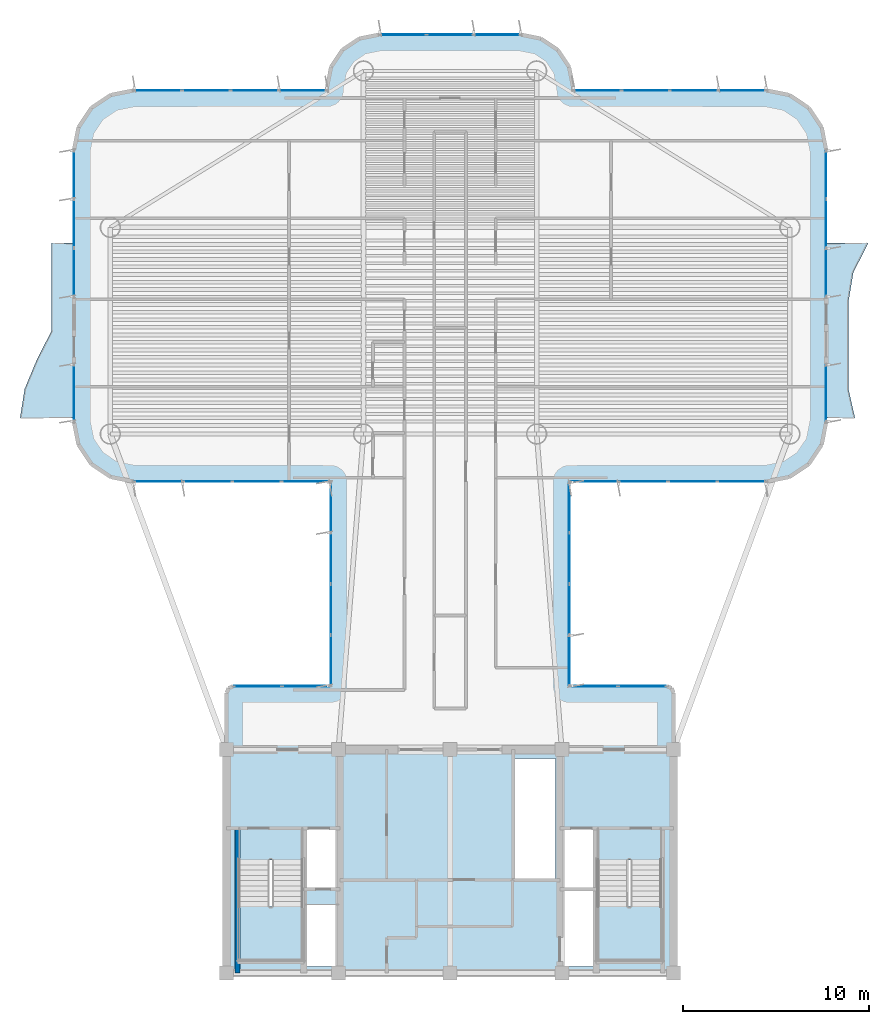
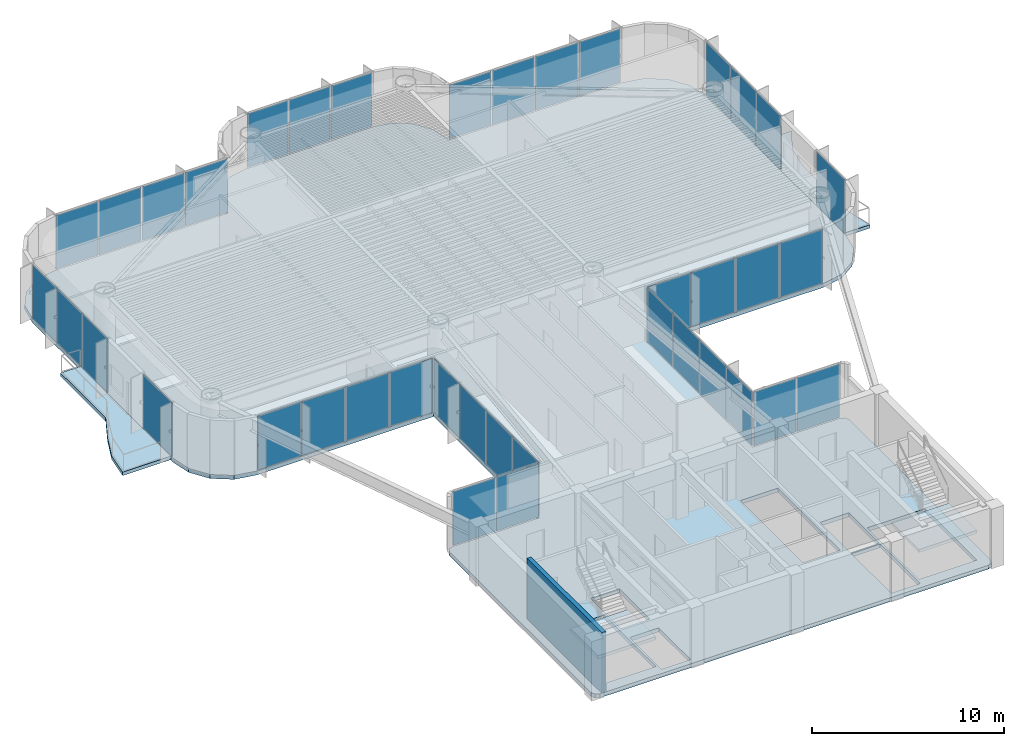
# One storey, part 8 of 14: 39 plates, 5 slabs, 1 wall, 15 elements without a shape of their own.
"""IFC4 building model written with IfcOpenShell, lengths in metres."""

from ifc_helpers import new_model, si_unit, direction, frame, frame_2d, origin, origin_2d, place, context, subcontext, project, spatial, polyline, rectangle, outline, extrude, source, transform, mapped, material, layer, layer_set, type_object, element, aggregate, save


model = new_model("IFC4")

# Units and contexts
model_context = context("Model", 3, precision=1e-05, world=origin(), true_north=direction((0.0, 1.0)))
body_context = subcontext(model_context, "Body", "Model", "MODEL_VIEW")
ifc_project = project(units=[si_unit("LENGTHUNIT", "METRE"), si_unit("AREAUNIT", "SQUARE_METRE"), si_unit("VOLUMEUNIT", "CUBIC_METRE"), si_unit("PLANEANGLEUNIT", "RADIAN"), si_unit("MASSUNIT", "GRAM", prefix="KILO")], contexts=[model_context])

# Site, building, storey
site_placement = place(None, origin())
site = spatial("IfcSite", under=ifc_project, at=site_placement, CompositionType="ELEMENT")
building_placement = place(site_placement, origin())
building = spatial("IfcBuilding", under=site, at=building_placement, Name="Brelvock Crest Care Tower", CompositionType="ELEMENT")
storey_placement = place(building_placement, frame((0.0, 0.0, 198.0)))
storey = spatial("IfcBuildingStorey", under=building, at=storey_placement, Name="L50", CompositionType="ELEMENT", Elevation=198.0)

# Slabs
ifc_material_1 = material(Name="Concrete N50 (50 MPa)", Category="concrete")
ifc_layer_1 = layer(ifc_material_1, 0.25, Name="SLB-FL3")
ifc_layer_set_1 = layer_set([ifc_layer_1], Name="Concrete N50 (50 MPa)")
slab_type_1 = type_object("IfcSlabType", Name="SLB-FL3", PredefinedType="FLOOR", material=ifc_layer_set_1)
slab_1_placement = place(storey_placement, frame((0.0, 0.0, -0.25)))
element("IfcSlab", 1, at=slab_1_placement, inside=storey, type_object=slab_type_1, Name="L50 Main Structural Slab", PredefinedType="FLOOR", context=body_context, shape_type="SweptSolid", body=[
    extrude(outline(polyline([(47.64990234375, 21.39990234375), (42.39990234375, 21.39990234375), (42.39990234375, 32.39990234375), (53.0, 32.39990234375), (54.224609375, 32.6435546875), (55.2626953125, 33.33740234375), (55.956298828125, 34.37548828125), (56.199951171875, 35.60009765625), (56.199951171875, 50.199951171875), (55.956298828125, 51.424560546875), (55.2626953125, 52.462646484375), (54.224609375, 53.156494140625), (53.0, 53.39990234375), (42.60009765625, 53.39990234375), (42.60009765625, 53.60009765625), (42.386962890625, 54.67138671875), (41.77978515625, 55.579833984375), (40.87158203125, 56.18701171875), (39.800048828125, 56.39990234375), (32.199951171875, 56.39990234375), (31.12841796875, 56.18701171875), (30.22021484375, 55.579833984375), (29.613037109375, 54.67138671875), (29.39990234375, 53.60009765625), (29.39990234375, 53.39990234375), (19.0, 53.39990234375), (17.775390625, 53.156494140625), (16.7373046875, 52.462646484375), (16.043701171875, 51.424560546875), (15.800048828125, 50.199951171875), (15.800048828125, 35.60009765625), (16.043701171875, 34.37548828125), (16.7373046875, 33.33740234375), (17.775390625, 32.6435546875), (19.0, 32.39990234375), (29.60009765625, 32.39990234375), (29.60009765625, 21.39990234375), (24.35009765625, 21.39990234375), (24.1025390625, 21.297607421875), (24.0, 21.050048828125), (24.0, 6.35009765625), (24.1025390625, 6.1025390625), (24.35009765625, 6.0), (47.64990234375, 6.0), (47.8974609375, 6.1025390625), (48.0, 6.35009765625), (48.0, 21.050048828125), (47.8974609375, 21.297607421875), (47.64990234375, 21.39990234375)]), holes=[polyline([(28.239990234375, 10.580078125), (29.97998046875, 10.580078125), (29.97998046875, 13.739990234375), (28.239990234375, 13.739990234375), (28.239990234375, 10.580078125)]), polyline([(42.02001953125, 10.580078125), (43.760009765625, 10.580078125), (43.760009765625, 13.739990234375), (42.02001953125, 13.739990234375), (42.02001953125, 10.580078125)]), polyline([(28.239990234375, 6.340087890625), (29.97998046875, 6.340087890625), (29.97998046875, 9.64990234375), (28.239990234375, 9.64990234375), (28.239990234375, 6.340087890625)]), polyline([(24.6298828125, 12.080078125), (24.6298828125, 6.699951171875), (28.110107421875, 6.699951171875), (28.110107421875, 12.080078125), (24.6298828125, 12.080078125)]), polyline([(43.889892578125, 12.080078125), (43.889892578125, 6.699951171875), (47.3701171875, 6.699951171875), (47.3701171875, 12.080078125), (43.889892578125, 12.080078125)]), polyline([(42.02001953125, 6.340087890625), (43.760009765625, 6.340087890625), (43.760009765625, 10.5), (42.02001953125, 10.5), (42.02001953125, 6.340087890625)]), polyline([(39.429931640625, 11.030029296875), (41.669921875, 11.030029296875), (41.669921875, 17.52001953125), (39.429931640625, 17.52001953125), (39.429931640625, 11.030029296875)])]), origin(), (0.0, 0.0, 1.0), 0.25),
])
ifc_layer_2 = layer(ifc_material_1, 0.219970703125, Name="SLB-WB1")
ifc_layer_set_2 = layer_set([ifc_layer_2], Name="Concrete N50 (50 MPa)")
slab_type_2 = type_object("IfcSlabType", Name="SLB-WB1", PredefinedType="FLOOR", material=ifc_layer_set_2)
slab_2_placement = place(storey_placement, frame((0.0, 0.0, -0.219970703125)))
element("IfcSlab", 2, at=slab_2_placement, inside=storey, type_object=slab_type_2, Name="L50 W Sinusoidal Wave Balcony Slab", PredefinedType="FLOOR", context=body_context, shape_type="SweptSolid", body=[
    extrude(outline(polyline([(15.800048828125, 45.199951171875), (14.60009765625, 45.199951171875), (14.60009765625, 43.63330078125), (14.60009765625, 42.066650390625), (14.60009765625, 40.5), (13.79931640625, 38.933349609375), (13.1474609375, 37.36669921875), (12.89990234375, 35.800048828125), (15.800048828125, 35.800048828125), (15.800048828125, 45.199951171875)])), origin(), (0.0, 0.0, 1.0), 0.219970703125),
])
slab_3_placement = place(storey_placement, frame((0.0, 0.0, -0.219970703125)))
element("IfcSlab", 3, at=slab_3_placement, inside=storey, type_object=slab_type_2, Name="L50 E Sinusoidal Wave Balcony Slab", PredefinedType="FLOOR", context=body_context, shape_type="SweptSolid", body=[
    extrude(outline(polyline([(56.199951171875, 35.800048828125), (57.75, 35.800048828125), (57.39990234375, 37.36669921875), (57.39990234375, 38.933349609375), (57.39990234375, 40.5), (57.39990234375, 42.066650390625), (57.66162109375, 43.63330078125), (58.455322265625, 45.199951171875), (56.199951171875, 45.199951171875), (56.199951171875, 35.800048828125)])), origin(), (0.0, 0.0, 1.0), 0.219970703125),
])

# Stair, slab
ifc_material_2 = material(Name="Concrete N40 (40 MPa)", Category="concrete")
stair_type = type_object("IfcStairType", Name="ST-CORE1", PredefinedType="HALF_TURN_STAIR", material=ifc_material_2)
stair_1_placement = place(storey_placement, origin())
stair_1 = element("IfcStair", 4, at=stair_1_placement, inside=storey, type_object=stair_type, Name="L50 Fire-Isolated Core Stair ST-1", PredefinedType="HALF_TURN_STAIR")
ifc_layer_3 = layer(ifc_material_2, 0.199951171875, Name="STL-1")
ifc_layer_set_3 = layer_set([ifc_layer_3], Name="Concrete N40 (40 MPa)")
slab_type_3 = type_object("IfcSlabType", Name="STL-1", PredefinedType="LANDING", material=ifc_layer_set_3)
slab_4_placement = place(storey_placement, frame((0.0, 0.0, 1.68994140625)))
slab_4 = element("IfcSlab", 5, at=slab_4_placement, type_object=slab_type_3, Name="ST-1 landing 1", PredefinedType="LANDING", context=body_context, shape_type="SweptSolid", body=[
    extrude(outline(polyline([(24.6298828125, 9.56005859375), (24.6298828125, 6.699951171875), (28.110107421875, 6.699951171875), (28.110107421875, 9.56005859375), (24.6298828125, 9.56005859375)])), origin(), (0.0, 0.0, 1.0), 0.199951171875),
])
aggregate(stair_1, [slab_4])

stair_2_placement = place(storey_placement, origin())
stair_2 = element("IfcStair", 6, at=stair_2_placement, inside=storey, type_object=stair_type, Name="L50 Fire-Isolated Core Stair ST-2", PredefinedType="HALF_TURN_STAIR")
slab_5_placement = place(storey_placement, frame((0.0, 0.0, 1.68994140625)))
slab_5 = element("IfcSlab", 7, at=slab_5_placement, type_object=slab_type_3, Name="ST-2 landing 1", PredefinedType="LANDING", context=body_context, shape_type="SweptSolid", body=[
    extrude(outline(polyline([(43.889892578125, 9.56005859375), (43.889892578125, 6.699951171875), (47.3701171875, 6.699951171875), (47.3701171875, 9.56005859375), (43.889892578125, 9.56005859375)])), origin(), (0.0, 0.0, 1.0), 0.199951171875),
])
aggregate(stair_2, [slab_5])

# Curtain wall, plates
ifc_material_3 = material(Name="Dark Glass Double Glazed Low-E", Category="glass")
ifc_layer_4 = layer(ifc_material_3, 0.22509765625, Name="CWS-4")
ifc_layer_set_4 = layer_set([ifc_layer_4], Name="Dark Glass Double Glazed Low-E")
curtain_wall_type = type_object("IfcCurtainWallType", Name="CWS-4", PredefinedType="NOTDEFINED", material=ifc_layer_set_4)
curtain_wall_1_placement = place(storey_placement, origin())
curtain_wall_1 = element("IfcCurtainWall", 8, at=curtain_wall_1_placement, inside=storey, type_object=curtain_wall_type, Name="L50 Curtain Wall E10", PredefinedType="NOTDEFINED")
ifc_layer_5 = layer(ifc_material_3, 0.0380859375, Name="CWP-V2")
ifc_layer_set_5 = layer_set([ifc_layer_5], Name="Dark Glass Double Glazed Low-E")
plate_type = type_object("IfcPlateType", Name="CWP-V2", PredefinedType="CURTAIN_PANEL", material=ifc_layer_set_5)
shared_shape_1 = source(origin(), body_context, "Body", "SweptSolid", [
    extrude(rectangle(XDim=2.534912109375, YDim=0.035888671875, at=origin_2d()), origin(), (0.0, 0.0, 1.0), 3.409912109375),
])
plate_1_placement = place(storey_placement, frame((25.677490234375, 21.39990234375, 0.06005859375), z_axis=(0.0, 0.0, 1.0), x_axis=(1.0, 0.0, 0.0)))
plate_1 = element("IfcPlate", 9, at=plate_1_placement, type_object=plate_type, Name="CW-4 panel 1.1", PredefinedType="CURTAIN_PANEL", context=body_context, shape_type="MappedRepresentation", body=[
    mapped(shared_shape_1, transform((0.0, 0.0, 0.0), x_axis=(1.0, 0.0, 0.0), y_axis=(0.0, 1.0, 0.0), z_axis=(0.0, 0.0, 1.0), scale=1.0)),
])
plate_2_placement = place(storey_placement, frame((28.2724609375, 21.39990234375, 0.06005859375), z_axis=(0.0, 0.0, 1.0), x_axis=(1.0, 0.0, 0.0)))
plate_2 = element("IfcPlate", 10, at=plate_2_placement, type_object=plate_type, Name="CW-4 panel 2.1", PredefinedType="CURTAIN_PANEL", context=body_context, shape_type="MappedRepresentation", body=[
    mapped(shared_shape_1, transform((0.0, 0.0, 0.0), x_axis=(1.0, 0.0, 0.0), y_axis=(0.0, 1.0, 0.0), z_axis=(0.0, 0.0, 1.0), scale=1.0)),
])
aggregate(curtain_wall_1, [plate_1, plate_2])

curtain_wall_2_placement = place(storey_placement, origin())
curtain_wall_2 = element("IfcCurtainWall", 11, at=curtain_wall_2_placement, inside=storey, type_object=curtain_wall_type, Name="L50 Curtain Wall E46", PredefinedType="NOTDEFINED")
plate_3_placement = place(storey_placement, frame((43.7275390625, 21.39990234375, 0.06005859375), z_axis=(0.0, 0.0, 1.0), x_axis=(1.0, 0.0, 0.0)))
plate_3 = element("IfcPlate", 12, at=plate_3_placement, type_object=plate_type, Name="CW-4 panel 1.1", PredefinedType="CURTAIN_PANEL", context=body_context, shape_type="MappedRepresentation", body=[
    mapped(shared_shape_1, transform((0.0, 0.0, 0.0), x_axis=(1.0, 0.0, 0.0), y_axis=(0.0, 1.0, 0.0), z_axis=(0.0, 0.0, 1.0), scale=1.0)),
])
plate_4_placement = place(storey_placement, frame((46.322509765625, 21.39990234375, 0.06005859375), z_axis=(0.0, 0.0, 1.0), x_axis=(1.0, 0.0, 0.0)))
plate_4 = element("IfcPlate", 13, at=plate_4_placement, type_object=plate_type, Name="CW-4 panel 2.1", PredefinedType="CURTAIN_PANEL", context=body_context, shape_type="MappedRepresentation", body=[
    mapped(shared_shape_1, transform((0.0, 0.0, 0.0), x_axis=(1.0, 0.0, 0.0), y_axis=(0.0, 1.0, 0.0), z_axis=(0.0, 0.0, 1.0), scale=1.0)),
])
aggregate(curtain_wall_2, [plate_3, plate_4])

curtain_wall_3_placement = place(storey_placement, origin())
curtain_wall_3 = element("IfcCurtainWall", 14, at=curtain_wall_3_placement, inside=storey, type_object=curtain_wall_type, Name="L50 Curtain Wall E11", PredefinedType="NOTDEFINED")
shared_shape_2 = source(origin(), body_context, "Body", "SweptSolid", [
    extrude(rectangle(XDim=2.659912109375, YDim=0.035888671875, at=origin_2d()), origin(), (0.0, 0.0, 1.0), 3.409912109375),
])
plate_5_placement = place(storey_placement, frame((29.60009765625, 22.7900390625, 0.06005859375), z_axis=(0.0, 0.0, 1.0), x_axis=(0.0, 1.0, 0.0)))
plate_5 = element("IfcPlate", 15, at=plate_5_placement, type_object=plate_type, Name="CW-4 panel 1.1", PredefinedType="CURTAIN_PANEL", context=body_context, shape_type="MappedRepresentation", body=[
    mapped(shared_shape_2, transform((0.0, 0.0, 0.0), x_axis=(1.0, 0.0, 0.0), y_axis=(0.0, 1.0, 0.0), z_axis=(0.0, 0.0, 1.0), scale=1.0)),
])
plate_6_placement = place(storey_placement, frame((29.60009765625, 31.010009765625, 0.06005859375), z_axis=(0.0, 0.0, 1.0), x_axis=(0.0, 1.0, 0.0)))
plate_6 = element("IfcPlate", 16, at=plate_6_placement, type_object=plate_type, Name="CW-4 panel 4.1", PredefinedType="CURTAIN_PANEL", context=body_context, shape_type="MappedRepresentation", body=[
    mapped(shared_shape_2, transform((0.0, 0.0, 0.0), x_axis=(1.0, 0.0, 0.0), y_axis=(0.0, 1.0, 0.0), z_axis=(0.0, 0.0, 1.0), scale=1.0)),
])

curtain_wall_4_placement = place(storey_placement, origin())
curtain_wall_4 = element("IfcCurtainWall", 17, at=curtain_wall_4_placement, inside=storey, type_object=curtain_wall_type, Name="L50 Curtain Wall E45", PredefinedType="NOTDEFINED")
plate_7_placement = place(storey_placement, frame((42.39990234375, 31.010009765625, 0.06005859375), z_axis=(0.0, 0.0, 1.0), x_axis=(0.0, -1.0, 0.0)))
plate_7 = element("IfcPlate", 18, at=plate_7_placement, type_object=plate_type, Name="CW-4 panel 1.1", PredefinedType="CURTAIN_PANEL", context=body_context, shape_type="MappedRepresentation", body=[
    mapped(shared_shape_2, transform((0.0, 0.0, 0.0), x_axis=(1.0, 0.0, 0.0), y_axis=(0.0, 1.0, 0.0), z_axis=(0.0, 0.0, 1.0), scale=1.0)),
])
plate_8_placement = place(storey_placement, frame((42.39990234375, 22.7900390625, 0.06005859375), z_axis=(0.0, 0.0, 1.0), x_axis=(0.0, -1.0, 0.0)))
plate_8 = element("IfcPlate", 19, at=plate_8_placement, type_object=plate_type, Name="CW-4 panel 4.1", PredefinedType="CURTAIN_PANEL", context=body_context, shape_type="MappedRepresentation", body=[
    mapped(shared_shape_2, transform((0.0, 0.0, 0.0), x_axis=(1.0, 0.0, 0.0), y_axis=(0.0, 1.0, 0.0), z_axis=(0.0, 0.0, 1.0), scale=1.0)),
])

# Plate
shared_shape_3 = source(origin(), body_context, "Body", "SweptSolid", [
    extrude(rectangle(XDim=2.68994140625, YDim=0.035888671875, at=origin_2d()), origin(), (0.0, 0.0, 1.0), 3.409912109375),
])
plate_9_placement = place(storey_placement, frame((29.60009765625, 25.52490234375, 0.06005859375), z_axis=(0.0, 0.0, 1.0), x_axis=(0.0, 1.0, 0.0)))
plate_9 = element("IfcPlate", 20, at=plate_9_placement, type_object=plate_type, Name="CW-4 panel 2.1", PredefinedType="CURTAIN_PANEL", context=body_context, shape_type="MappedRepresentation", body=[
    mapped(shared_shape_3, transform((0.0, 0.0, 0.0), x_axis=(1.0, 0.0, 0.0), y_axis=(0.0, 1.0, 0.0), z_axis=(0.0, 0.0, 1.0), scale=1.0)),
])

plate_10_placement = place(storey_placement, frame((29.60009765625, 28.27490234375, 0.06005859375), z_axis=(0.0, 0.0, 1.0), x_axis=(0.0, 1.0, 0.0)))
plate_10 = element("IfcPlate", 21, at=plate_10_placement, type_object=plate_type, Name="CW-4 panel 3.1", PredefinedType="CURTAIN_PANEL", context=body_context, shape_type="MappedRepresentation", body=[
    mapped(shared_shape_3, transform((0.0, 0.0, 0.0), x_axis=(1.0, 0.0, 0.0), y_axis=(0.0, 1.0, 0.0), z_axis=(0.0, 0.0, 1.0), scale=1.0)),
])

aggregate(curtain_wall_3, [plate_5, plate_9, plate_10, plate_6])

plate_11_placement = place(storey_placement, frame((42.39990234375, 28.27490234375, 0.06005859375), z_axis=(0.0, 0.0, 1.0), x_axis=(0.0, -1.0, 0.0)))
plate_11 = element("IfcPlate", 22, at=plate_11_placement, type_object=plate_type, Name="CW-4 panel 2.1", PredefinedType="CURTAIN_PANEL", context=body_context, shape_type="MappedRepresentation", body=[
    mapped(shared_shape_3, transform((0.0, 0.0, 0.0), x_axis=(1.0, 0.0, 0.0), y_axis=(0.0, 1.0, 0.0), z_axis=(0.0, 0.0, 1.0), scale=1.0)),
])

plate_12_placement = place(storey_placement, frame((42.39990234375, 25.52490234375, 0.06005859375), z_axis=(0.0, 0.0, 1.0), x_axis=(0.0, -1.0, 0.0)))
plate_12 = element("IfcPlate", 23, at=plate_12_placement, type_object=plate_type, Name="CW-4 panel 3.1", PredefinedType="CURTAIN_PANEL", context=body_context, shape_type="MappedRepresentation", body=[
    mapped(shared_shape_3, transform((0.0, 0.0, 0.0), x_axis=(1.0, 0.0, 0.0), y_axis=(0.0, 1.0, 0.0), z_axis=(0.0, 0.0, 1.0), scale=1.0)),
])

aggregate(curtain_wall_4, [plate_7, plate_11, plate_12, plate_8])

# Curtain wall, plates
curtain_wall_5_placement = place(storey_placement, origin())
curtain_wall_5 = element("IfcCurtainWall", 24, at=curtain_wall_5_placement, inside=storey, type_object=curtain_wall_type, Name="L50 Curtain Wall E12", PredefinedType="NOTDEFINED")
shared_shape_4 = source(origin(), body_context, "Body", "SweptSolid", [
    extrude(rectangle(XDim=2.56005859375, YDim=0.035888671875, at=origin_2d()), origin(), (0.0, 0.0, 1.0), 3.409912109375),
])
plate_13_placement = place(storey_placement, frame((28.260009765625, 32.39990234375, 0.06005859375), z_axis=(0.0, 0.0, 1.0), x_axis=(-1.0, 0.0, 0.0)))
plate_13 = element("IfcPlate", 25, at=plate_13_placement, type_object=plate_type, Name="CW-4 panel 1.1", PredefinedType="CURTAIN_PANEL", context=body_context, shape_type="MappedRepresentation", body=[
    mapped(shared_shape_4, transform((0.0, 0.0, 0.0), x_axis=(1.0, 0.0, 0.0), y_axis=(0.0, 1.0, 0.0), z_axis=(0.0, 0.0, 1.0), scale=1.0)),
])
plate_14_placement = place(storey_placement, frame((20.340087890625, 32.39990234375, 0.06005859375), z_axis=(0.0, 0.0, 1.0), x_axis=(-1.0, 0.0, 0.0)))
plate_14 = element("IfcPlate", 26, at=plate_14_placement, type_object=plate_type, Name="CW-4 panel 4.1", PredefinedType="CURTAIN_PANEL", context=body_context, shape_type="MappedRepresentation", body=[
    mapped(shared_shape_4, transform((0.0, 0.0, 0.0), x_axis=(1.0, 0.0, 0.0), y_axis=(0.0, 1.0, 0.0), z_axis=(0.0, 0.0, 1.0), scale=1.0)),
])

curtain_wall_6_placement = place(storey_placement, origin())
curtain_wall_6 = element("IfcCurtainWall", 27, at=curtain_wall_6_placement, inside=storey, type_object=curtain_wall_type, Name="L50 Curtain Wall E44", PredefinedType="NOTDEFINED")
plate_15_placement = place(storey_placement, frame((51.659912109375, 32.39990234375, 0.06005859375), z_axis=(0.0, 0.0, 1.0), x_axis=(-1.0, 0.0, 0.0)))
plate_15 = element("IfcPlate", 28, at=plate_15_placement, type_object=plate_type, Name="CW-4 panel 1.1", PredefinedType="CURTAIN_PANEL", context=body_context, shape_type="MappedRepresentation", body=[
    mapped(shared_shape_4, transform((0.0, 0.0, 0.0), x_axis=(1.0, 0.0, 0.0), y_axis=(0.0, 1.0, 0.0), z_axis=(0.0, 0.0, 1.0), scale=1.0)),
])
plate_16_placement = place(storey_placement, frame((43.739990234375, 32.39990234375, 0.06005859375), z_axis=(0.0, 0.0, 1.0), x_axis=(-1.0, 0.0, 0.0)))
plate_16 = element("IfcPlate", 29, at=plate_16_placement, type_object=plate_type, Name="CW-4 panel 4.1", PredefinedType="CURTAIN_PANEL", context=body_context, shape_type="MappedRepresentation", body=[
    mapped(shared_shape_4, transform((0.0, 0.0, 0.0), x_axis=(1.0, 0.0, 0.0), y_axis=(0.0, 1.0, 0.0), z_axis=(0.0, 0.0, 1.0), scale=1.0)),
])

# Plate
shared_shape_5 = source(origin(), body_context, "Body", "SweptSolid", [
    extrude(rectangle(XDim=2.590087890625, YDim=0.035888671875, at=origin_2d()), origin(), (0.0, 0.0, 1.0), 3.409912109375),
])
plate_17_placement = place(storey_placement, frame((25.625, 32.39990234375, 0.06005859375), z_axis=(0.0, 0.0, 1.0), x_axis=(-1.0, 0.0, 0.0)))
plate_17 = element("IfcPlate", 30, at=plate_17_placement, type_object=plate_type, Name="CW-4 panel 2.1", PredefinedType="CURTAIN_PANEL", context=body_context, shape_type="MappedRepresentation", body=[
    mapped(shared_shape_5, transform((0.0, 0.0, 0.0), x_axis=(1.0, 0.0, 0.0), y_axis=(0.0, 1.0, 0.0), z_axis=(0.0, 0.0, 1.0), scale=1.0)),
])

plate_18_placement = place(storey_placement, frame((22.97509765625, 32.39990234375, 0.06005859375), z_axis=(0.0, 0.0, 1.0), x_axis=(-1.0, 0.0, 0.0)))
plate_18 = element("IfcPlate", 31, at=plate_18_placement, type_object=plate_type, Name="CW-4 panel 3.1", PredefinedType="CURTAIN_PANEL", context=body_context, shape_type="MappedRepresentation", body=[
    mapped(shared_shape_5, transform((0.0, 0.0, 0.0), x_axis=(1.0, 0.0, 0.0), y_axis=(0.0, 1.0, 0.0), z_axis=(0.0, 0.0, 1.0), scale=1.0)),
])

aggregate(curtain_wall_5, [plate_13, plate_17, plate_18, plate_14])

plate_19_placement = place(storey_placement, frame((49.02490234375, 32.39990234375, 0.06005859375), z_axis=(0.0, 0.0, 1.0), x_axis=(-1.0, 0.0, 0.0)))
plate_19 = element("IfcPlate", 32, at=plate_19_placement, type_object=plate_type, Name="CW-4 panel 2.1", PredefinedType="CURTAIN_PANEL", context=body_context, shape_type="MappedRepresentation", body=[
    mapped(shared_shape_5, transform((0.0, 0.0, 0.0), x_axis=(1.0, 0.0, 0.0), y_axis=(0.0, 1.0, 0.0), z_axis=(0.0, 0.0, 1.0), scale=1.0)),
])

plate_20_placement = place(storey_placement, frame((46.375, 32.39990234375, 0.06005859375), z_axis=(0.0, 0.0, 1.0), x_axis=(-1.0, 0.0, 0.0)))
plate_20 = element("IfcPlate", 33, at=plate_20_placement, type_object=plate_type, Name="CW-4 panel 3.1", PredefinedType="CURTAIN_PANEL", context=body_context, shape_type="MappedRepresentation", body=[
    mapped(shared_shape_5, transform((0.0, 0.0, 0.0), x_axis=(1.0, 0.0, 0.0), y_axis=(0.0, 1.0, 0.0), z_axis=(0.0, 0.0, 1.0), scale=1.0)),
])

aggregate(curtain_wall_6, [plate_15, plate_19, plate_20, plate_16])

# Curtain wall, plates
curtain_wall_7_placement = place(storey_placement, origin())
curtain_wall_7 = element("IfcCurtainWall", 34, at=curtain_wall_7_placement, inside=storey, type_object=curtain_wall_type, Name="L50 Curtain Wall E22", PredefinedType="NOTDEFINED")
shared_shape_6 = source(origin(), body_context, "Body", "SweptSolid", [
    extrude(rectangle(XDim=2.510009765625, YDim=0.035888671875, at=origin_2d()), origin(), (0.0, 0.0, 1.0), 3.409912109375),
])
plate_21_placement = place(storey_placement, frame((20.31494140625, 53.39990234375, 0.06005859375), z_axis=(0.0, 0.0, 1.0), x_axis=(1.0, 0.0, 0.0)))
plate_21 = element("IfcPlate", 35, at=plate_21_placement, type_object=plate_type, Name="CW-4 panel 1.1", PredefinedType="CURTAIN_PANEL", context=body_context, shape_type="MappedRepresentation", body=[
    mapped(shared_shape_6, transform((0.0, 0.0, 0.0), x_axis=(1.0, 0.0, 0.0), y_axis=(0.0, 1.0, 0.0), z_axis=(0.0, 0.0, 1.0), scale=1.0)),
])
plate_22_placement = place(storey_placement, frame((28.0849609375, 53.39990234375, 0.06005859375), z_axis=(0.0, 0.0, 1.0), x_axis=(1.0, 0.0, 0.0)))
plate_22 = element("IfcPlate", 36, at=plate_22_placement, type_object=plate_type, Name="CW-4 panel 4.1", PredefinedType="CURTAIN_PANEL", context=body_context, shape_type="MappedRepresentation", body=[
    mapped(shared_shape_6, transform((0.0, 0.0, 0.0), x_axis=(1.0, 0.0, 0.0), y_axis=(0.0, 1.0, 0.0), z_axis=(0.0, 0.0, 1.0), scale=1.0)),
])

curtain_wall_8_placement = place(storey_placement, origin())
curtain_wall_8 = element("IfcCurtainWall", 37, at=curtain_wall_8_placement, inside=storey, type_object=curtain_wall_type, Name="L50 Curtain Wall E34", PredefinedType="NOTDEFINED")
plate_23_placement = place(storey_placement, frame((43.9150390625, 53.39990234375, 0.06005859375), z_axis=(0.0, 0.0, 1.0), x_axis=(1.0, 0.0, 0.0)))
plate_23 = element("IfcPlate", 38, at=plate_23_placement, type_object=plate_type, Name="CW-4 panel 1.1", PredefinedType="CURTAIN_PANEL", context=body_context, shape_type="MappedRepresentation", body=[
    mapped(shared_shape_6, transform((0.0, 0.0, 0.0), x_axis=(1.0, 0.0, 0.0), y_axis=(0.0, 1.0, 0.0), z_axis=(0.0, 0.0, 1.0), scale=1.0)),
])
plate_24_placement = place(storey_placement, frame((51.68505859375, 53.39990234375, 0.06005859375), z_axis=(0.0, 0.0, 1.0), x_axis=(1.0, 0.0, 0.0)))
plate_24 = element("IfcPlate", 39, at=plate_24_placement, type_object=plate_type, Name="CW-4 panel 4.1", PredefinedType="CURTAIN_PANEL", context=body_context, shape_type="MappedRepresentation", body=[
    mapped(shared_shape_6, transform((0.0, 0.0, 0.0), x_axis=(1.0, 0.0, 0.0), y_axis=(0.0, 1.0, 0.0), z_axis=(0.0, 0.0, 1.0), scale=1.0)),
])

# Plate
shared_shape_7 = source(origin(), body_context, "Body", "SweptSolid", [
    extrude(rectangle(XDim=2.5400390625, YDim=0.035888671875, at=origin_2d()), origin(), (0.0, 0.0, 1.0), 3.409912109375),
])
plate_25_placement = place(storey_placement, frame((22.89990234375, 53.39990234375, 0.06005859375), z_axis=(0.0, 0.0, 1.0), x_axis=(1.0, 0.0, 0.0)))
plate_25 = element("IfcPlate", 40, at=plate_25_placement, type_object=plate_type, Name="CW-4 panel 2.1", PredefinedType="CURTAIN_PANEL", context=body_context, shape_type="MappedRepresentation", body=[
    mapped(shared_shape_7, transform((0.0, 0.0, 0.0), x_axis=(1.0, 0.0, 0.0), y_axis=(0.0, 1.0, 0.0), z_axis=(0.0, 0.0, 1.0), scale=1.0)),
])

plate_26_placement = place(storey_placement, frame((25.5, 53.39990234375, 0.06005859375), z_axis=(0.0, 0.0, 1.0), x_axis=(1.0, 0.0, 0.0)))
plate_26 = element("IfcPlate", 41, at=plate_26_placement, type_object=plate_type, Name="CW-4 panel 3.1", PredefinedType="CURTAIN_PANEL", context=body_context, shape_type="MappedRepresentation", body=[
    mapped(shared_shape_7, transform((0.0, 0.0, 0.0), x_axis=(1.0, 0.0, 0.0), y_axis=(0.0, 1.0, 0.0), z_axis=(0.0, 0.0, 1.0), scale=1.0)),
])

aggregate(curtain_wall_7, [plate_21, plate_25, plate_26, plate_22])

plate_27_placement = place(storey_placement, frame((46.5, 53.39990234375, 0.06005859375), z_axis=(0.0, 0.0, 1.0), x_axis=(1.0, 0.0, 0.0)))
plate_27 = element("IfcPlate", 42, at=plate_27_placement, type_object=plate_type, Name="CW-4 panel 2.1", PredefinedType="CURTAIN_PANEL", context=body_context, shape_type="MappedRepresentation", body=[
    mapped(shared_shape_7, transform((0.0, 0.0, 0.0), x_axis=(1.0, 0.0, 0.0), y_axis=(0.0, 1.0, 0.0), z_axis=(0.0, 0.0, 1.0), scale=1.0)),
])

plate_28_placement = place(storey_placement, frame((49.10009765625, 53.39990234375, 0.06005859375), z_axis=(0.0, 0.0, 1.0), x_axis=(1.0, 0.0, 0.0)))
plate_28 = element("IfcPlate", 43, at=plate_28_placement, type_object=plate_type, Name="CW-4 panel 3.1", PredefinedType="CURTAIN_PANEL", context=body_context, shape_type="MappedRepresentation", body=[
    mapped(shared_shape_7, transform((0.0, 0.0, 0.0), x_axis=(1.0, 0.0, 0.0), y_axis=(0.0, 1.0, 0.0), z_axis=(0.0, 0.0, 1.0), scale=1.0)),
])

aggregate(curtain_wall_8, [plate_23, plate_27, plate_28, plate_24])

# Curtain wall, plates
curtain_wall_9_placement = place(storey_placement, origin())
curtain_wall_9 = element("IfcCurtainWall", 44, at=curtain_wall_9_placement, inside=storey, type_object=curtain_wall_type, Name="L50 Curtain Wall E28", PredefinedType="NOTDEFINED")
shared_shape_8 = source(origin(), body_context, "Body", "SweptSolid", [
    extrude(rectangle(XDim=2.443359375, YDim=0.035888671875, at=origin_2d()), origin(), (0.0, 0.0, 1.0), 3.409912109375),
])
plate_29_placement = place(storey_placement, frame((33.481689453125, 56.39990234375, 0.06005859375), z_axis=(0.0, 0.0, 1.0), x_axis=(1.0, 0.0, 0.0)))
plate_29 = element("IfcPlate", 45, at=plate_29_placement, type_object=plate_type, Name="CW-4 panel 1.1", PredefinedType="CURTAIN_PANEL", context=body_context, shape_type="MappedRepresentation", body=[
    mapped(shared_shape_8, transform((0.0, 0.0, 0.0), x_axis=(1.0, 0.0, 0.0), y_axis=(0.0, 1.0, 0.0), z_axis=(0.0, 0.0, 1.0), scale=1.0)),
])
plate_30_placement = place(storey_placement, frame((38.518310546875, 56.39990234375, 0.06005859375), z_axis=(0.0, 0.0, 1.0), x_axis=(1.0, 0.0, 0.0)))
plate_30 = element("IfcPlate", 46, at=plate_30_placement, type_object=plate_type, Name="CW-4 panel 3.1", PredefinedType="CURTAIN_PANEL", context=body_context, shape_type="MappedRepresentation", body=[
    mapped(shared_shape_8, transform((0.0, 0.0, 0.0), x_axis=(1.0, 0.0, 0.0), y_axis=(0.0, 1.0, 0.0), z_axis=(0.0, 0.0, 1.0), scale=1.0)),
])
shared_shape_9 = source(origin(), body_context, "Body", "SweptSolid", [
    extrude(rectangle(XDim=2.473388671875, YDim=0.035888671875, at=origin_2d()), origin(), (0.0, 0.0, 1.0), 3.409912109375),
])
plate_31_placement = place(storey_placement, frame((36.0, 56.39990234375, 0.06005859375), z_axis=(0.0, 0.0, 1.0), x_axis=(1.0, 0.0, 0.0)))
plate_31 = element("IfcPlate", 47, at=plate_31_placement, type_object=plate_type, Name="CW-4 panel 2.1", PredefinedType="CURTAIN_PANEL", context=body_context, shape_type="MappedRepresentation", body=[
    mapped(shared_shape_9, transform((0.0, 0.0, 0.0), x_axis=(1.0, 0.0, 0.0), y_axis=(0.0, 1.0, 0.0), z_axis=(0.0, 0.0, 1.0), scale=1.0)),
])
aggregate(curtain_wall_9, [plate_29, plate_31, plate_30])

# Curtain wall, plate
curtain_wall_10_placement = place(storey_placement, origin())
curtain_wall_10 = element("IfcCurtainWall", 48, at=curtain_wall_10_placement, inside=storey, type_object=curtain_wall_type, Name="L50 Curtain Wall E17A", PredefinedType="NOTDEFINED")
shared_shape_10 = source(origin(), body_context, "Body", "SweptSolid", [
    extrude(rectangle(XDim=2.97998046875, YDim=0.035888671875, at=origin_2d()), origin(), (0.0, 0.0, 1.0), 3.409912109375),
])
plate_32_placement = place(storey_placement, frame((15.800048828125, 37.14990234375, 0.06005859375), z_axis=(0.0, 0.0, 1.0), x_axis=(0.0, 1.0, 0.0)))
plate_32 = element("IfcPlate", 49, at=plate_32_placement, type_object=plate_type, Name="CW-4 panel 1.1", PredefinedType="CURTAIN_PANEL", context=body_context, shape_type="MappedRepresentation", body=[
    mapped(shared_shape_10, transform((0.0, 0.0, 0.0), x_axis=(1.0, 0.0, 0.0), y_axis=(0.0, 1.0, 0.0), z_axis=(0.0, 0.0, 1.0), scale=1.0)),
])
aggregate(curtain_wall_10, [plate_32])

curtain_wall_11_placement = place(storey_placement, origin())
curtain_wall_11 = element("IfcCurtainWall", 50, at=curtain_wall_11_placement, inside=storey, type_object=curtain_wall_type, Name="L50 Curtain Wall E39B", PredefinedType="NOTDEFINED")
plate_33_placement = place(storey_placement, frame((56.199951171875, 37.14990234375, 0.06005859375), z_axis=(0.0, 0.0, 1.0), x_axis=(0.0, -1.0, 0.0)))
plate_33 = element("IfcPlate", 51, at=plate_33_placement, type_object=plate_type, Name="CW-4 panel 1.1", PredefinedType="CURTAIN_PANEL", context=body_context, shape_type="MappedRepresentation", body=[
    mapped(shared_shape_10, transform((0.0, 0.0, 0.0), x_axis=(1.0, 0.0, 0.0), y_axis=(0.0, 1.0, 0.0), z_axis=(0.0, 0.0, 1.0), scale=1.0)),
])
aggregate(curtain_wall_11, [plate_33])

# Curtain wall, plates
curtain_wall_12_placement = place(storey_placement, origin())
curtain_wall_12 = element("IfcCurtainWall", 52, at=curtain_wall_12_placement, inside=storey, type_object=curtain_wall_type, Name="L50 Curtain Wall E17B", PredefinedType="NOTDEFINED")
shared_shape_11 = source(origin(), body_context, "Body", "SweptSolid", [
    extrude(rectangle(XDim=2.543212890625, YDim=0.035888671875, at=origin_2d()), origin(), (0.0, 0.0, 1.0), 3.409912109375),
])
plate_34_placement = place(storey_placement, frame((15.800048828125, 43.631591796875, 0.06005859375), z_axis=(0.0, 0.0, 1.0), x_axis=(0.0, 1.0, 0.0)))
plate_34 = element("IfcPlate", 53, at=plate_34_placement, type_object=plate_type, Name="CW-4 panel 1.1", PredefinedType="CURTAIN_PANEL", context=body_context, shape_type="MappedRepresentation", body=[
    mapped(shared_shape_11, transform((0.0, 0.0, 0.0), x_axis=(1.0, 0.0, 0.0), y_axis=(0.0, 1.0, 0.0), z_axis=(0.0, 0.0, 1.0), scale=1.0)),
])
plate_35_placement = place(storey_placement, frame((15.800048828125, 48.868408203125, 0.06005859375), z_axis=(0.0, 0.0, 1.0), x_axis=(0.0, 1.0, 0.0)))
plate_35 = element("IfcPlate", 54, at=plate_35_placement, type_object=plate_type, Name="CW-4 panel 3.1", PredefinedType="CURTAIN_PANEL", context=body_context, shape_type="MappedRepresentation", body=[
    mapped(shared_shape_11, transform((0.0, 0.0, 0.0), x_axis=(1.0, 0.0, 0.0), y_axis=(0.0, 1.0, 0.0), z_axis=(0.0, 0.0, 1.0), scale=1.0)),
])

curtain_wall_13_placement = place(storey_placement, origin())
curtain_wall_13 = element("IfcCurtainWall", 55, at=curtain_wall_13_placement, inside=storey, type_object=curtain_wall_type, Name="L50 Curtain Wall E39A", PredefinedType="NOTDEFINED")
plate_36_placement = place(storey_placement, frame((56.199951171875, 48.868408203125, 0.06005859375), z_axis=(0.0, 0.0, 1.0), x_axis=(0.0, -1.0, 0.0)))
plate_36 = element("IfcPlate", 56, at=plate_36_placement, type_object=plate_type, Name="CW-4 panel 1.1", PredefinedType="CURTAIN_PANEL", context=body_context, shape_type="MappedRepresentation", body=[
    mapped(shared_shape_11, transform((0.0, 0.0, 0.0), x_axis=(1.0, 0.0, 0.0), y_axis=(0.0, 1.0, 0.0), z_axis=(0.0, 0.0, 1.0), scale=1.0)),
])
plate_37_placement = place(storey_placement, frame((56.199951171875, 43.631591796875, 0.06005859375), z_axis=(0.0, 0.0, 1.0), x_axis=(0.0, -1.0, 0.0)))
plate_37 = element("IfcPlate", 57, at=plate_37_placement, type_object=plate_type, Name="CW-4 panel 3.1", PredefinedType="CURTAIN_PANEL", context=body_context, shape_type="MappedRepresentation", body=[
    mapped(shared_shape_11, transform((0.0, 0.0, 0.0), x_axis=(1.0, 0.0, 0.0), y_axis=(0.0, 1.0, 0.0), z_axis=(0.0, 0.0, 1.0), scale=1.0)),
])

# Plate
shared_shape_12 = source(origin(), body_context, "Body", "SweptSolid", [
    extrude(rectangle(XDim=2.5732421875, YDim=0.035888671875, at=origin_2d()), origin(), (0.0, 0.0, 1.0), 3.409912109375),
])
plate_38_placement = place(storey_placement, frame((15.800048828125, 46.25, 0.06005859375), z_axis=(0.0, 0.0, 1.0), x_axis=(0.0, 1.0, 0.0)))
plate_38 = element("IfcPlate", 58, at=plate_38_placement, type_object=plate_type, Name="CW-4 panel 2.1", PredefinedType="CURTAIN_PANEL", context=body_context, shape_type="MappedRepresentation", body=[
    mapped(shared_shape_12, transform((0.0, 0.0, 0.0), x_axis=(1.0, 0.0, 0.0), y_axis=(0.0, 1.0, 0.0), z_axis=(0.0, 0.0, 1.0), scale=1.0)),
])

aggregate(curtain_wall_12, [plate_34, plate_38, plate_35])

plate_39_placement = place(storey_placement, frame((56.199951171875, 46.25, 0.06005859375), z_axis=(0.0, 0.0, 1.0), x_axis=(0.0, -1.0, 0.0)))
plate_39 = element("IfcPlate", 59, at=plate_39_placement, type_object=plate_type, Name="CW-4 panel 2.1", PredefinedType="CURTAIN_PANEL", context=body_context, shape_type="MappedRepresentation", body=[
    mapped(shared_shape_12, transform((0.0, 0.0, 0.0), x_axis=(1.0, 0.0, 0.0), y_axis=(0.0, 1.0, 0.0), z_axis=(0.0, 0.0, 1.0), scale=1.0)),
])

aggregate(curtain_wall_13, [plate_36, plate_39, plate_37])

# Wall
ifc_material_4 = material(Name="Concrete S80 (80 MPa)", Category="concrete")
ifc_layer_6 = layer(ifc_material_4, 0.25, Name="WL-CS6")
ifc_layer_set_6 = layer_set([ifc_layer_6], Name="Concrete S80 (80 MPa)")
wall_type = type_object("IfcWallType", Name="WL-CS6", PredefinedType="SHEAR", material=ifc_layer_set_6)
wall_placement = place(storey_placement, frame((24.580078125, 6.0, 0.0), z_axis=(0.0, 0.0, 1.0), x_axis=(0.0, 1.0, 0.0)))
element("IfcWall", 60, at=wall_placement, inside=storey, type_object=wall_type, Name="L50 Core Stair ST-1 West Shear Wall", PredefinedType="SHEAR", context=body_context, shape_type="SweptSolid", body=[
    extrude(rectangle(XDim=7.780029296875, YDim=0.25, at=frame_2d((3.89013671875, 0.0))), origin(), (0.0, 0.0, 1.0), 3.85009765625),
])

save(model, "model.ifc")
